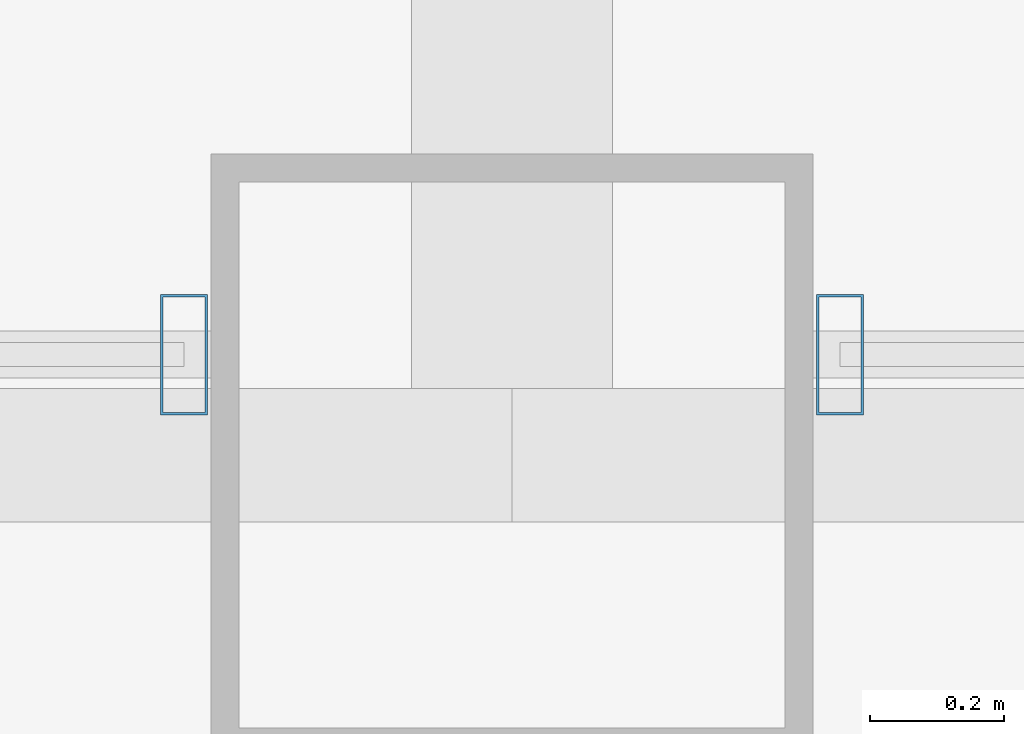
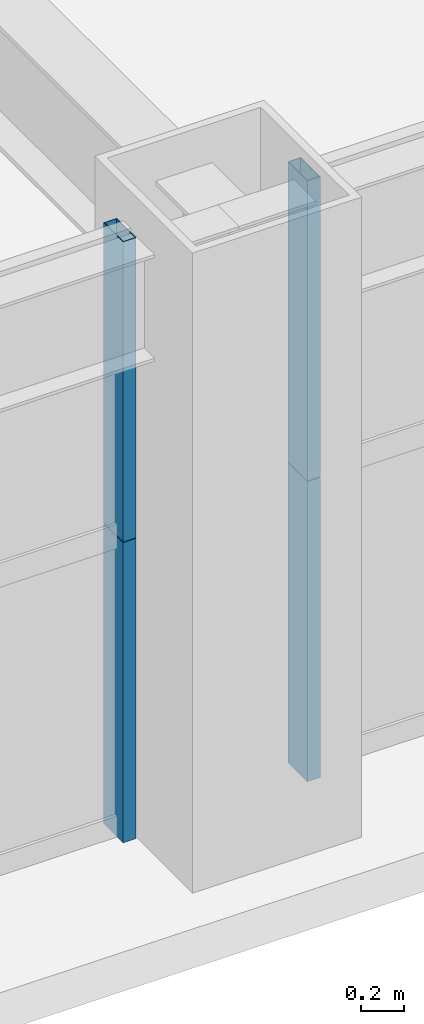
# One storey, part 9 of 37: 4 members, 2 elements without a shape of their own.
"""IFC4 building model written with IfcOpenShell, lengths in metres."""

from ifc_helpers import new_model, si_unit, direction, frame, origin, origin_2d, place, context, subcontext, project, spatial, hollow_rectangle, extrude, source, transform, mapped, material, layer, layer_set, material_profile, profile_set, type_object, element, aggregate, save


model = new_model("IFC4")

# Units and contexts
model_context = context("Model", 3, precision=1e-05, world=origin(), true_north=direction((0.0, 1.0)))
body_context = subcontext(model_context, "Body", "Model", "MODEL_VIEW")
ifc_project = project(units=[si_unit("LENGTHUNIT", "METRE"), si_unit("AREAUNIT", "SQUARE_METRE"), si_unit("VOLUMEUNIT", "CUBIC_METRE"), si_unit("PLANEANGLEUNIT", "RADIAN"), si_unit("MASSUNIT", "GRAM", prefix="KILO"), si_unit("THERMODYNAMICTEMPERATUREUNIT", "KELVIN"), si_unit("POWERUNIT", "WATT")], contexts=[model_context])

# Site, building, storey
site_placement = place(None, origin())
site = spatial("IfcSite", under=ifc_project, at=site_placement, CompositionType="ELEMENT")
building_placement = place(site_placement, origin())
building = spatial("IfcBuilding", under=site, at=building_placement, Name="Yuzanri Waterfront Tower", CompositionType="ELEMENT")
storey_placement = place(building_placement, frame((0.0, 0.0, 104.60009765625)))
storey = spatial("IfcBuildingStorey", under=building, at=storey_placement, Name="L27", CompositionType="ELEMENT", Elevation=104.60009765625)

# Curtain wall, members
ifc_material_1 = material(Name="Anodized Architectural Bronze", Category="metal")
ifc_layer = layer(ifc_material_1, 0.159912109375)
ifc_layer_set = layer_set([ifc_layer], Name="Anodized Architectural Bronze")
curtain_wall_type = type_object("IfcCurtainWallType", Name="Anodized Bronze Hotel Upper-Tier Solar-Control Unitized Curtain Wall 7800", PredefinedType="NOTDEFINED", material=ifc_layer_set)
curtain_wall_1_placement = place(storey_placement, origin())
curtain_wall_1 = element("IfcCurtainWall", 1, at=curtain_wall_1_placement, inside=storey, type_object=curtain_wall_type, Name="L27 Curtain Wall CW-L27-SL", PredefinedType="NOTDEFINED")
ifc_material_2 = material(Name="Anodized Architectural Bronze", Category="metal")
ifc_material_profile = material_profile(ifc_material_2, hollow_rectangle(XDim=0.070068359375, YDim=0.179931640625, WallThickness=0.00390625, at=origin_2d()), Name="CWM 70x180")
ifc_profile_set = profile_set([ifc_material_profile], Name="Anodized Architectural Bronze")
member_type = type_object("IfcMemberType", Name="Anodized Bronze Standard Curtain-Wall Mullion 70x180", PredefinedType="MULLION", material=ifc_profile_set)
shared_shape = source(origin(), body_context, "Body", "SweptSolid", [
    extrude(hollow_rectangle(XDim=0.070068359375, YDim=0.179931640625, WallThickness=0.00390625, at=origin_2d()), origin(), (0.0, 0.0, 1.0), 1.68798828125),
])
member_1_placement = place(storey_placement, frame((36.510009765625, 2.35009765625, 0.0), z_axis=(0.0, 0.0, 1.0), x_axis=(1.0, 0.0, 0.0)))
member_1 = element("IfcMember", 2, at=member_1_placement, type_object=member_type, Name="CW-L27-SL Lower Mullion 02", PredefinedType="MULLION", context=body_context, shape_type="MappedRepresentation", body=[
    mapped(shared_shape, transform((0.0, 0.0, 0.0), scale=1.0)),
])
member_2_placement = place(storey_placement, frame((36.510009765625, 2.35009765625, 1.69189453125), z_axis=(0.0, 0.0, 1.0), x_axis=(1.0, 0.0, 0.0)))
member_2 = element("IfcMember", 3, at=member_2_placement, type_object=member_type, Name="CW-L27-SL Upper Mullion 02", PredefinedType="MULLION", context=body_context, shape_type="MappedRepresentation", body=[
    mapped(shared_shape, transform((0.0, 0.0, 0.0), scale=1.0)),
])
aggregate(curtain_wall_1, [member_1, member_2])

curtain_wall_2_placement = place(storey_placement, origin())
curtain_wall_2 = element("IfcCurtainWall", 4, at=curtain_wall_2_placement, inside=storey, type_object=curtain_wall_type, Name="L27 Curtain Wall CW-L27-SR", PredefinedType="NOTDEFINED")
member_3_placement = place(storey_placement, frame((37.489990234375, 2.35009765625, 0.0), z_axis=(0.0, 0.0, 1.0), x_axis=(1.0, 0.0, 0.0)))
member_3 = element("IfcMember", 5, at=member_3_placement, type_object=member_type, Name="CW-L27-SR Lower Mullion 00", PredefinedType="MULLION", context=body_context, shape_type="MappedRepresentation", body=[
    mapped(shared_shape, transform((0.0, 0.0, 0.0), scale=1.0)),
])
member_4_placement = place(storey_placement, frame((37.489990234375, 2.35009765625, 1.69189453125), z_axis=(0.0, 0.0, 1.0), x_axis=(1.0, 0.0, 0.0)))
member_4 = element("IfcMember", 6, at=member_4_placement, type_object=member_type, Name="CW-L27-SR Upper Mullion 00", PredefinedType="MULLION", context=body_context, shape_type="MappedRepresentation", body=[
    mapped(shared_shape, transform((0.0, 0.0, 0.0), scale=1.0)),
])
aggregate(curtain_wall_2, [member_3, member_4])

save(model, "model.ifc")
